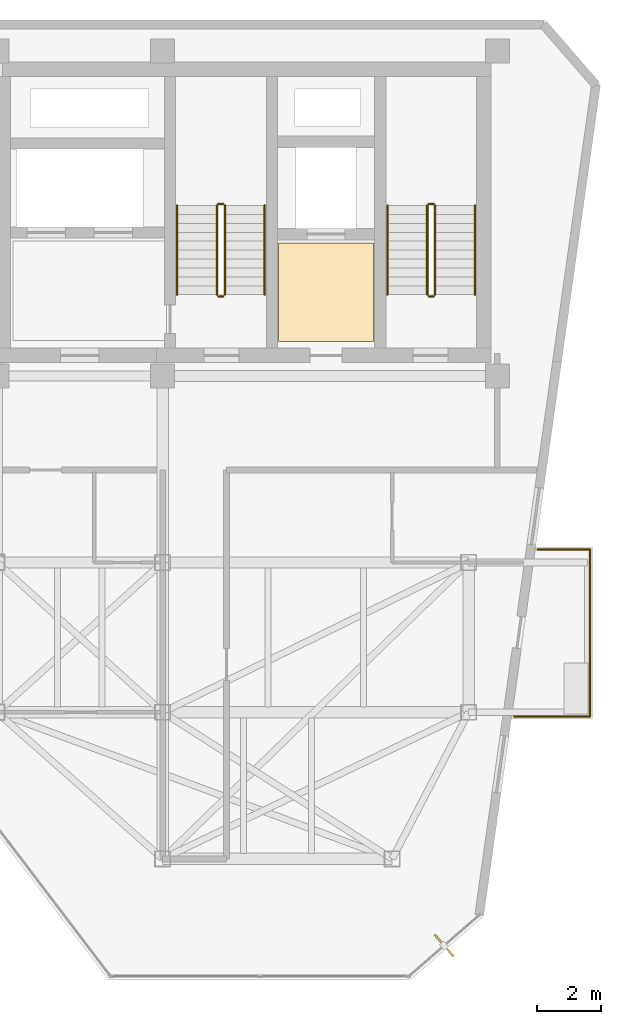
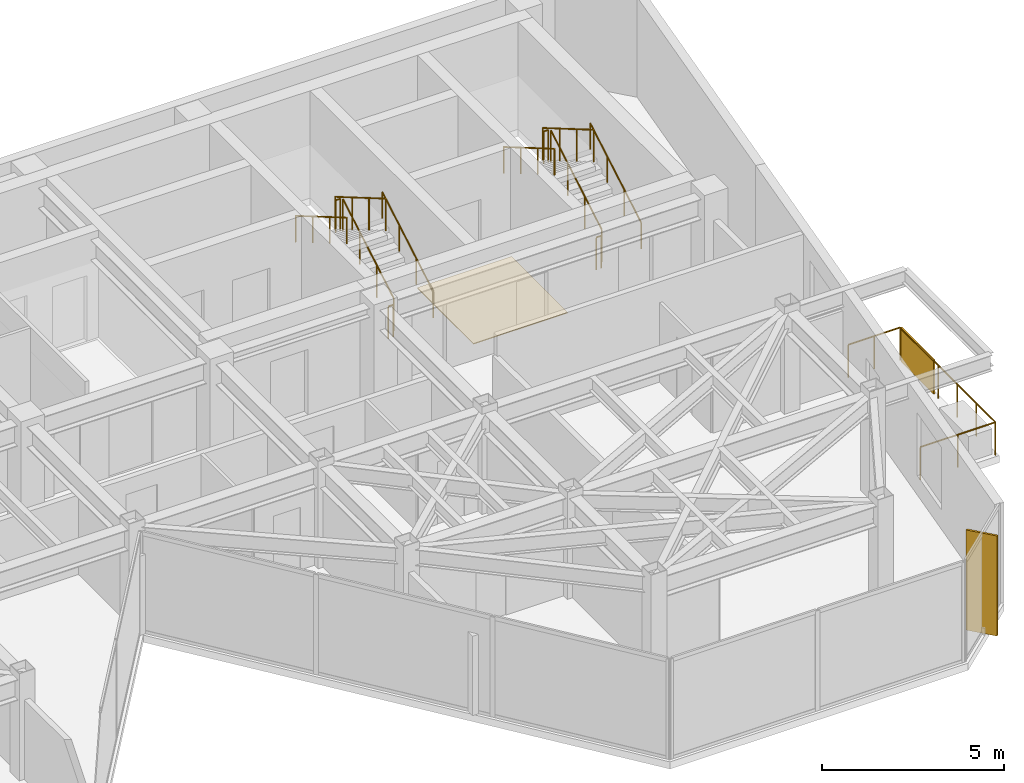
# One storey, part 19 of 19: 15 railings, 2 shading devices, 1 covering.
"""IFC4 building model written with IfcOpenShell, lengths in metres."""

from ifc_helpers import new_model, si_unit, direction, frame, origin, origin_2d, place, context, subcontext, project, spatial, polyline, rectangle, circle, outline, extrude, material, layer, layer_set, type_object, element, save


model = new_model("IFC4")

# Units and contexts
model_context = context("Model", 3, precision=1e-05, world=origin(), true_north=direction((0.0, 1.0)))
body_context = subcontext(model_context, "Body", "Model", "MODEL_VIEW")
ifc_project = project(units=[si_unit("LENGTHUNIT", "METRE"), si_unit("AREAUNIT", "SQUARE_METRE"), si_unit("VOLUMEUNIT", "CUBIC_METRE"), si_unit("PLANEANGLEUNIT", "RADIAN"), si_unit("MASSUNIT", "GRAM", prefix="KILO")], contexts=[model_context])

# Site, building, storey
site_placement = place(None, origin())
site = spatial("IfcSite", under=ifc_project, at=site_placement, CompositionType="ELEMENT")
building_placement = place(site_placement, origin())
building = spatial("IfcBuilding", under=site, at=building_placement, Name="Kravanh Interchange Tower", CompositionType="ELEMENT")
storey_placement = place(building_placement, frame((0.0, 0.0, 267.0)))
storey = spatial("IfcBuildingStorey", under=building, at=storey_placement, Name="L65", CompositionType="ELEMENT", Elevation=267.0)

# Covering
ifc_material_1 = material(Name="Cementitious Terrazzo Tile")
ifc_layer_1 = layer(ifc_material_1, 0.030029296875)
ifc_layer_set_1 = layer_set([ifc_layer_1], Name="Honed Terrazzo Lobby Flooring 30mm")
covering_type = type_object("IfcCoveringType", Name="Honed Terrazzo Lobby Flooring 30mm", PredefinedType="FLOORING", material=ifc_layer_set_1)
covering_placement = place(storey_placement, origin())
element("IfcCovering", 1, at=covering_placement, inside=storey, type_object=covering_type, Name="L65 Service Lift Lobby Floor Finish", PredefinedType="FLOORING", context=body_context, shape_type="SweptSolid", body=[
    extrude(outline(polyline([(59.6298828125, 41.52001953125), (62.6201171875, 41.52001953125), (62.6201171875, 38.429931640625), (59.6298828125, 38.429931640625), (59.6298828125, 41.52001953125)])), origin(), (0.0, 0.0, 1.0), 0.030029296875),
])

# Shading device
ifc_material_2 = material(Name="Perforated Anodised Bronze Aluminium", Category="aluminium")
ifc_layer_2 = layer(ifc_material_2, 0.0400390625)
ifc_layer_set_2 = layer_set([ifc_layer_2], Name="Perforated Bronze Balcony Privacy Screen 1150mm")
shading_device_type_1 = type_object("IfcShadingDeviceType", Name="Perforated Bronze Balcony Privacy Screen 1150mm", PredefinedType="USERDEFINED", material=ifc_layer_set_2)
shading_device_1_placement = place(storey_placement, frame((69.409912109375, 30.93994140625, 0.0), z_axis=(0.0, 0.0, 1.0), x_axis=(1.0, 0.0, 0.0)))
element("IfcShadingDevice", 2, at=shading_device_1_placement, inside=storey, type_object=shading_device_type_1, Name="L65 E Perforated Bronze BALCONY SCREEN", ObjectType="SCREEN", PredefinedType="USERDEFINED", context=body_context, shape_type="SweptSolid", body=[
    extrude(rectangle(XDim=0.0400390625, YDim=1.800048828125, at=origin_2d()), origin(), (0.0, 0.0, 1.0), 1.14990234375),
])

# Railings
ifc_material_3 = material(Name="Stainless Steel 316", Category="steel")
ifc_layer_3 = layer(ifc_material_3, 0.06005859375)
ifc_layer_set_3 = layer_set([ifc_layer_3], Name="Perimeter Balcony and Terrace Guardrail Stainless 316 1120mm")
railing_type_1 = type_object("IfcRailingType", Name="Perimeter Balcony and Terrace Guardrail Stainless 316 1120mm", PredefinedType="GUARDRAIL", material=ifc_layer_set_3)
railing_1_placement = place(storey_placement, frame((69.409912109375, 31.909912109375, 0.0)))
element("IfcRailing", 3, at=railing_1_placement, inside=storey, type_object=railing_type_1, Name="L65 E Balcony Guardrail 1", PredefinedType="GUARDRAIL", context=body_context, shape_type="SweptSolid", body=[
    extrude(circle(Radius=0.02392578125, at=origin_2d()), frame((0.0, 0.0, 1.09619140625), z_axis=(0.0, -1.0, 0.0), x_axis=(1.0, 0.0, 0.0)), (0.0, 0.0, 1.0), 5.239990234375),
    extrude(circle(Radius=0.02099609375, at=origin_2d()), origin(), (0.0, 0.0, 1.0), 1.072021484375),
    extrude(circle(Radius=0.02099609375, at=origin_2d()), frame((0.0, -1.048095703125, 0.0)), (0.0, 0.0, 1.0), 1.072021484375),
    extrude(circle(Radius=0.02099609375, at=origin_2d()), frame((0.0, -2.095947265625, 0.0)), (0.0, 0.0, 1.0), 1.072021484375),
    extrude(circle(Radius=0.02099609375, at=origin_2d()), frame((0.0, -3.14404296875, 0.0)), (0.0, 0.0, 1.0), 1.072021484375),
    extrude(circle(Radius=0.02099609375, at=origin_2d()), frame((0.0, -4.19189453125, 0.0)), (0.0, 0.0, 1.0), 1.072021484375),
    extrude(circle(Radius=0.02099609375, at=origin_2d()), frame((0.0, -5.239990234375, 0.0)), (0.0, 0.0, 1.0), 1.072021484375),
])
railing_2_placement = place(storey_placement, frame((69.409912109375, 26.669921875, 0.0)))
element("IfcRailing", 4, at=railing_2_placement, inside=storey, type_object=railing_type_1, Name="L65 E Balcony Guardrail 2", PredefinedType="GUARDRAIL", context=body_context, shape_type="SweptSolid", body=[
    extrude(circle(Radius=0.02392578125, at=origin_2d()), frame((0.0, 0.0, 1.09619140625), z_axis=(-1.0, 0.0, 0.0), x_axis=(0.0, -1.0, 0.0)), (0.0, 0.0, 1.0), 2.382080078125),
    extrude(circle(Radius=0.02099609375, at=origin_2d()), origin(), (0.0, 0.0, 1.0), 1.072021484375),
    extrude(circle(Radius=0.02099609375, at=origin_2d()), frame((-1.19091796875, 0.0, 0.0)), (0.0, 0.0, 1.0), 1.072021484375),
    extrude(circle(Radius=0.02099609375, at=origin_2d()), frame((-2.382080078125, 0.0, 0.0)), (0.0, 0.0, 1.0), 1.072021484375),
])
railing_3_placement = place(storey_placement, frame((67.764404296875, 31.909912109375, 0.0)))
element("IfcRailing", 5, at=railing_3_placement, inside=storey, type_object=railing_type_1, Name="L65 E Balcony Guardrail 3", PredefinedType="GUARDRAIL", context=body_context, shape_type="SweptSolid", body=[
    extrude(circle(Radius=0.02392578125, at=origin_2d()), frame((0.0, 0.0, 1.09619140625), z_axis=(1.0, 0.0, 0.0), x_axis=(0.0, 1.0, 0.0)), (0.0, 0.0, 1.0), 1.6455078125),
    extrude(circle(Radius=0.02099609375, at=origin_2d()), origin(), (0.0, 0.0, 1.0), 1.072021484375),
    extrude(circle(Radius=0.02099609375, at=origin_2d()), frame((0.82275390625, 0.0, 0.0)), (0.0, 0.0, 1.0), 1.072021484375),
    extrude(circle(Radius=0.02099609375, at=origin_2d()), frame((1.6455078125, 0.0, 0.0)), (0.0, 0.0, 1.0), 1.072021484375),
])
ifc_material_4 = material(Name="Structural Steel S355", Category="steel")
ifc_layer_4 = layer(ifc_material_4, 0.050048828125)
ifc_layer_set_4 = layer_set([ifc_layer_4], Name="Stair Well Guardrail Structural Steel S355 1100mm")
railing_type_2 = type_object("IfcRailingType", Name="Stair Well Guardrail Structural Steel S355 1100mm", PredefinedType="GUARDRAIL", material=ifc_layer_set_4)
railing_4_placement = place(storey_placement, frame((64.550048828125, 39.89990234375, 0.16357421875)))
element("IfcRailing", 6, at=railing_4_placement, inside=storey, type_object=railing_type_2, Name="L65 ST1 stair guard 1", PredefinedType="GUARDRAIL", context=body_context, shape_type="SweptSolid", body=[
    extrude(circle(Radius=0.02392578125, at=origin_2d()), frame((0.0, 0.0, 1.076171875), z_axis=(0.0, 0.863360870873, 0.504586966384), x_axis=(-1.0, 0.0, 0.0)), (0.0, 0.0, 1.0), 3.2431640625),
    extrude(circle(Radius=0.02099609375, at=origin_2d()), origin(), (0.0, 0.0, 1.0), 1.052001953125),
    extrude(circle(Radius=0.02099609375, at=origin_2d()), frame((0.0, 0.933349609375, 0.54541015625)), (0.0, 0.0, 1.0), 1.052001953125),
    extrude(circle(Radius=0.02099609375, at=origin_2d()), frame((0.0, 1.86669921875, 1.091064453125)), (0.0, 0.0, 1.0), 1.052001953125),
    extrude(circle(Radius=0.02099609375, at=origin_2d()), frame((0.0, 2.800048828125, 1.636474609375)), (0.0, 0.0, 1.0), 1.052001953125),
])
railing_5_placement = place(storey_placement, frame((64.5, 42.75, 1.800048828125)))
element("IfcRailing", 7, at=railing_5_placement, inside=storey, type_object=railing_type_2, Name="L65 ST1 stair guard 2", PredefinedType="GUARDRAIL", context=body_context, shape_type="SweptSolid", body=[
    extrude(circle(Radius=0.02392578125, at=origin_2d()), frame((0.0, 0.0, 1.076171875), z_axis=(-1.0, 0.0, 0.0), x_axis=(0.0, -1.0, 0.0)), (0.0, 0.0, 1.0), 0.14990234375),
    extrude(circle(Radius=0.02099609375, at=origin_2d()), origin(), (0.0, 0.0, 1.0), 1.052001953125),
    extrude(circle(Radius=0.02099609375, at=origin_2d()), frame((-0.14990234375, 0.0, 0.0)), (0.0, 0.0, 1.0), 1.052001953125),
])
railing_6_placement = place(storey_placement, frame((64.300048828125, 42.699951171875, 1.963623046875)))
element("IfcRailing", 8, at=railing_6_placement, inside=storey, type_object=railing_type_2, Name="L65 ST1 stair guard 3", PredefinedType="GUARDRAIL", context=body_context, shape_type="SweptSolid", body=[
    extrude(circle(Radius=0.02392578125, at=origin_2d()), frame((0.0, 0.0, 1.076171875), z_axis=(0.0, -0.863360870873, 0.504586966384), x_axis=(1.0, 0.0, 0.0)), (0.0, 0.0, 1.0), 3.2431640625),
    extrude(circle(Radius=0.02099609375, at=origin_2d()), origin(), (0.0, 0.0, 1.0), 1.052001953125),
    extrude(circle(Radius=0.02099609375, at=origin_2d()), frame((0.0, -0.933349609375, 0.54541015625)), (0.0, 0.0, 1.0), 1.052001953125),
    extrude(circle(Radius=0.02099609375, at=origin_2d()), frame((0.0, -1.86669921875, 1.091064453125)), (0.0, 0.0, 1.0), 1.052001953125),
    extrude(circle(Radius=0.02099609375, at=origin_2d()), frame((0.0, -2.800048828125, 1.636474609375)), (0.0, 0.0, 1.0), 1.052001953125),
])
railing_7_placement = place(storey_placement, frame((64.5, 39.85009765625, 0.0)))
element("IfcRailing", 9, at=railing_7_placement, inside=storey, type_object=railing_type_2, Name="L65 ST1 stair guard 4", PredefinedType="GUARDRAIL", context=body_context, shape_type="SweptSolid", body=[
    extrude(circle(Radius=0.02392578125, at=origin_2d()), frame((0.0, 0.0, 1.076171875), z_axis=(-1.0, 0.0, 0.0), x_axis=(0.0, -1.0, 0.0)), (0.0, 0.0, 1.0), 0.14990234375),
    extrude(circle(Radius=0.02099609375, at=origin_2d()), origin(), (0.0, 0.0, 1.0), 1.052001953125),
    extrude(circle(Radius=0.02099609375, at=origin_2d()), frame((-0.14990234375, 0.0, 0.0)), (0.0, 0.0, 1.0), 1.052001953125),
])
railing_8_placement = place(storey_placement, frame((57.949951171875, 39.89990234375, 0.16357421875)))
element("IfcRailing", 10, at=railing_8_placement, inside=storey, type_object=railing_type_2, Name="L65 ST2 stair guard 1", PredefinedType="GUARDRAIL", context=body_context, shape_type="SweptSolid", body=[
    extrude(circle(Radius=0.02392578125, at=origin_2d()), frame((0.0, 0.0, 1.076171875), z_axis=(0.0, 0.863360870873, 0.504586966384), x_axis=(-1.0, 0.0, 0.0)), (0.0, 0.0, 1.0), 3.2431640625),
    extrude(circle(Radius=0.02099609375, at=origin_2d()), origin(), (0.0, 0.0, 1.0), 1.052001953125),
    extrude(circle(Radius=0.02099609375, at=origin_2d()), frame((0.0, 0.933349609375, 0.54541015625)), (0.0, 0.0, 1.0), 1.052001953125),
    extrude(circle(Radius=0.02099609375, at=origin_2d()), frame((0.0, 1.86669921875, 1.091064453125)), (0.0, 0.0, 1.0), 1.052001953125),
    extrude(circle(Radius=0.02099609375, at=origin_2d()), frame((0.0, 2.800048828125, 1.636474609375)), (0.0, 0.0, 1.0), 1.052001953125),
])
railing_9_placement = place(storey_placement, frame((57.89990234375, 42.75, 1.800048828125)))
element("IfcRailing", 11, at=railing_9_placement, inside=storey, type_object=railing_type_2, Name="L65 ST2 stair guard 2", PredefinedType="GUARDRAIL", context=body_context, shape_type="SweptSolid", body=[
    extrude(circle(Radius=0.02392578125, at=origin_2d()), frame((0.0, 0.0, 1.076171875), z_axis=(-1.0, 0.0, 0.0), x_axis=(0.0, -1.0, 0.0)), (0.0, 0.0, 1.0), 0.14990234375),
    extrude(circle(Radius=0.02099609375, at=origin_2d()), origin(), (0.0, 0.0, 1.0), 1.052001953125),
    extrude(circle(Radius=0.02099609375, at=origin_2d()), frame((-0.14990234375, 0.0, 0.0)), (0.0, 0.0, 1.0), 1.052001953125),
])
railing_10_placement = place(storey_placement, frame((57.699951171875, 42.699951171875, 1.963623046875)))
element("IfcRailing", 12, at=railing_10_placement, inside=storey, type_object=railing_type_2, Name="L65 ST2 stair guard 3", PredefinedType="GUARDRAIL", context=body_context, shape_type="SweptSolid", body=[
    extrude(circle(Radius=0.02392578125, at=origin_2d()), frame((0.0, 0.0, 1.076171875), z_axis=(0.0, -0.863360870873, 0.504586966384), x_axis=(1.0, 0.0, 0.0)), (0.0, 0.0, 1.0), 3.2431640625),
    extrude(circle(Radius=0.02099609375, at=origin_2d()), origin(), (0.0, 0.0, 1.0), 1.052001953125),
    extrude(circle(Radius=0.02099609375, at=origin_2d()), frame((0.0, -0.933349609375, 0.54541015625)), (0.0, 0.0, 1.0), 1.052001953125),
    extrude(circle(Radius=0.02099609375, at=origin_2d()), frame((0.0, -1.86669921875, 1.091064453125)), (0.0, 0.0, 1.0), 1.052001953125),
    extrude(circle(Radius=0.02099609375, at=origin_2d()), frame((0.0, -2.800048828125, 1.636474609375)), (0.0, 0.0, 1.0), 1.052001953125),
])
railing_11_placement = place(storey_placement, frame((57.89990234375, 39.85009765625, 0.0)))
element("IfcRailing", 13, at=railing_11_placement, inside=storey, type_object=railing_type_2, Name="L65 ST2 stair guard 4", PredefinedType="GUARDRAIL", context=body_context, shape_type="SweptSolid", body=[
    extrude(circle(Radius=0.02392578125, at=origin_2d()), frame((0.0, 0.0, 1.076171875), z_axis=(-1.0, 0.0, 0.0), x_axis=(0.0, -1.0, 0.0)), (0.0, 0.0, 1.0), 0.14990234375),
    extrude(circle(Radius=0.02099609375, at=origin_2d()), origin(), (0.0, 0.0, 1.0), 1.052001953125),
    extrude(circle(Radius=0.02099609375, at=origin_2d()), frame((-0.14990234375, 0.0, 0.0)), (0.0, 0.0, 1.0), 1.052001953125),
])
ifc_material_5 = material(Name="Stainless Steel 304", Category="steel")
ifc_layer_5 = layer(ifc_material_5, 0.044921875)
ifc_layer_set_5 = layer_set([ifc_layer_5], Name="Tubular Stair Handrail Stainless 304 900mm")
railing_type_3 = type_object("IfcRailingType", Name="Tubular Stair Handrail Stainless 304 900mm", PredefinedType="HANDRAIL", material=ifc_layer_set_5)
railing_12_placement = place(storey_placement, frame((65.800048828125, 39.89990234375, 0.16357421875)))
element("IfcRailing", 14, at=railing_12_placement, inside=storey, type_object=railing_type_3, Name="L65 ST1 stair handrail 1", PredefinedType="HANDRAIL", context=body_context, shape_type="SweptSolid", body=[
    extrude(circle(Radius=0.02392578125, at=origin_2d()), frame((0.0, 0.0, 0.8759765625), z_axis=(0.0, 0.863360870873, 0.504586966384), x_axis=(-1.0, 0.0, 0.0)), (0.0, 0.0, 1.0), 3.2431640625),
    extrude(circle(Radius=0.02099609375, at=origin_2d()), origin(), (0.0, 0.0, 1.0), 0.851806640625),
    extrude(circle(Radius=0.02099609375, at=origin_2d()), frame((0.0, 0.933349609375, 0.54541015625)), (0.0, 0.0, 1.0), 0.851806640625),
    extrude(circle(Radius=0.02099609375, at=origin_2d()), frame((0.0, 1.86669921875, 1.091064453125)), (0.0, 0.0, 1.0), 0.851806640625),
    extrude(circle(Radius=0.02099609375, at=origin_2d()), frame((0.0, 2.800048828125, 1.636474609375)), (0.0, 0.0, 1.0), 0.851806640625),
])
railing_13_placement = place(storey_placement, frame((63.050048828125, 42.699951171875, 1.963623046875)))
element("IfcRailing", 15, at=railing_13_placement, inside=storey, type_object=railing_type_3, Name="L65 ST1 stair handrail 2", PredefinedType="HANDRAIL", context=body_context, shape_type="SweptSolid", body=[
    extrude(circle(Radius=0.02392578125, at=origin_2d()), frame((0.0, 0.0, 0.8759765625), z_axis=(0.0, -0.863360870873, 0.504586966384), x_axis=(1.0, 0.0, 0.0)), (0.0, 0.0, 1.0), 3.2431640625),
    extrude(circle(Radius=0.02099609375, at=origin_2d()), origin(), (0.0, 0.0, 1.0), 0.851806640625),
    extrude(circle(Radius=0.02099609375, at=origin_2d()), frame((0.0, -0.933349609375, 0.54541015625)), (0.0, 0.0, 1.0), 0.851806640625),
    extrude(circle(Radius=0.02099609375, at=origin_2d()), frame((0.0, -1.86669921875, 1.091064453125)), (0.0, 0.0, 1.0), 0.851806640625),
    extrude(circle(Radius=0.02099609375, at=origin_2d()), frame((0.0, -2.800048828125, 1.636474609375)), (0.0, 0.0, 1.0), 0.851806640625),
])
railing_14_placement = place(storey_placement, frame((59.199951171875, 39.89990234375, 0.16357421875)))
element("IfcRailing", 16, at=railing_14_placement, inside=storey, type_object=railing_type_3, Name="L65 ST2 stair handrail 1", PredefinedType="HANDRAIL", context=body_context, shape_type="SweptSolid", body=[
    extrude(circle(Radius=0.02392578125, at=origin_2d()), frame((0.0, 0.0, 0.8759765625), z_axis=(0.0, 0.863360870873, 0.504586966384), x_axis=(-1.0, 0.0, 0.0)), (0.0, 0.0, 1.0), 3.2431640625),
    extrude(circle(Radius=0.02099609375, at=origin_2d()), origin(), (0.0, 0.0, 1.0), 0.851806640625),
    extrude(circle(Radius=0.02099609375, at=origin_2d()), frame((0.0, 0.933349609375, 0.54541015625)), (0.0, 0.0, 1.0), 0.851806640625),
    extrude(circle(Radius=0.02099609375, at=origin_2d()), frame((0.0, 1.86669921875, 1.091064453125)), (0.0, 0.0, 1.0), 0.851806640625),
    extrude(circle(Radius=0.02099609375, at=origin_2d()), frame((0.0, 2.800048828125, 1.636474609375)), (0.0, 0.0, 1.0), 0.851806640625),
])
railing_15_placement = place(storey_placement, frame((56.449951171875, 42.699951171875, 1.963623046875)))
element("IfcRailing", 17, at=railing_15_placement, inside=storey, type_object=railing_type_3, Name="L65 ST2 stair handrail 2", PredefinedType="HANDRAIL", context=body_context, shape_type="SweptSolid", body=[
    extrude(circle(Radius=0.02392578125, at=origin_2d()), frame((0.0, 0.0, 0.8759765625), z_axis=(0.0, -0.863360870873, 0.504586966384), x_axis=(1.0, 0.0, 0.0)), (0.0, 0.0, 1.0), 3.2431640625),
    extrude(circle(Radius=0.02099609375, at=origin_2d()), origin(), (0.0, 0.0, 1.0), 0.851806640625),
    extrude(circle(Radius=0.02099609375, at=origin_2d()), frame((0.0, -0.933349609375, 0.54541015625)), (0.0, 0.0, 1.0), 0.851806640625),
    extrude(circle(Radius=0.02099609375, at=origin_2d()), frame((0.0, -1.86669921875, 1.091064453125)), (0.0, 0.0, 1.0), 0.851806640625),
    extrude(circle(Radius=0.02099609375, at=origin_2d()), frame((0.0, -2.800048828125, 1.636474609375)), (0.0, 0.0, 1.0), 0.851806640625),
])

# Shading device
ifc_material_6 = material(Name="Anodised Champagne Bronze Aluminium", Category="aluminium")
ifc_layer_6 = layer(ifc_material_6, 0.06005859375)
ifc_layer_set_6 = layer_set([ifc_layer_6], Name="Vertical Bronze Solar Fin 900mm")
shading_device_type_2 = type_object("IfcShadingDeviceType", Name="Vertical Bronze Solar Fin 900mm", PredefinedType="USERDEFINED", material=ifc_layer_set_6)
shading_device_2_placement = place(storey_placement, frame((64.830078125, 19.480712890625, 0.0), z_axis=(0.0, 0.0, 1.0), x_axis=(0.656043386928, -0.754723177376, 0.0)))
element("IfcShadingDevice", 18, at=shading_device_2_placement, inside=storey, type_object=shading_device_type_2, Name="L65 BRONZE SOLAR FIN 2", ObjectType="FIN", PredefinedType="USERDEFINED", context=body_context, shape_type="SweptSolid", body=[
    extrude(rectangle(XDim=0.89990234375, YDim=0.06005859375, at=origin_2d()), origin(), (0.0, 0.0, 1.0), 3.360107421875),
])

save(model, "model.ifc")
